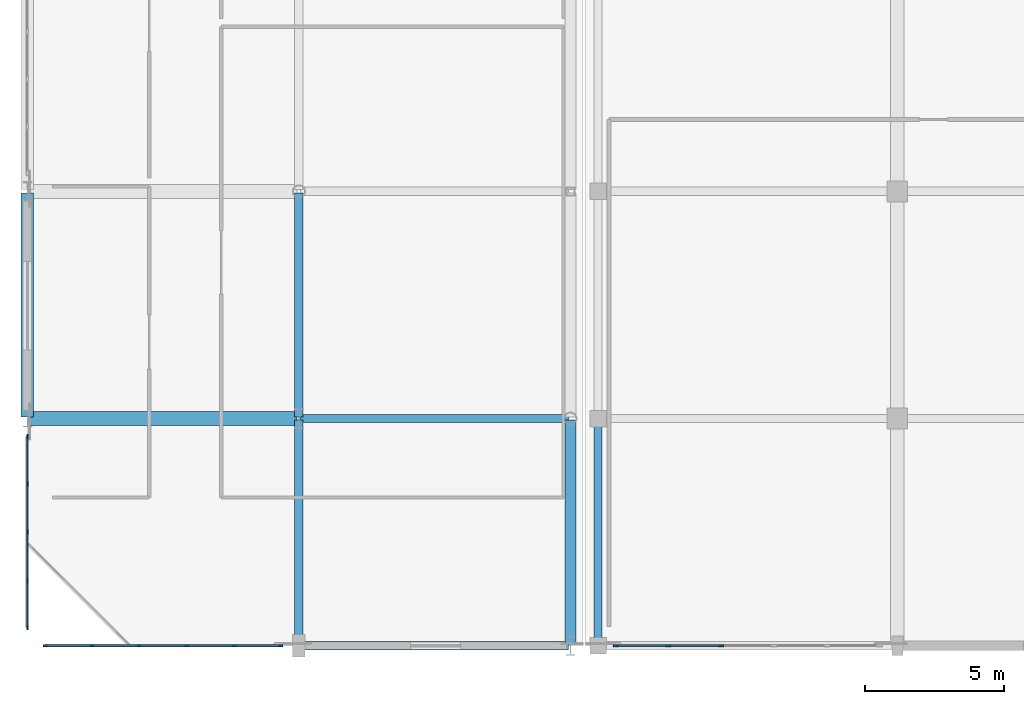
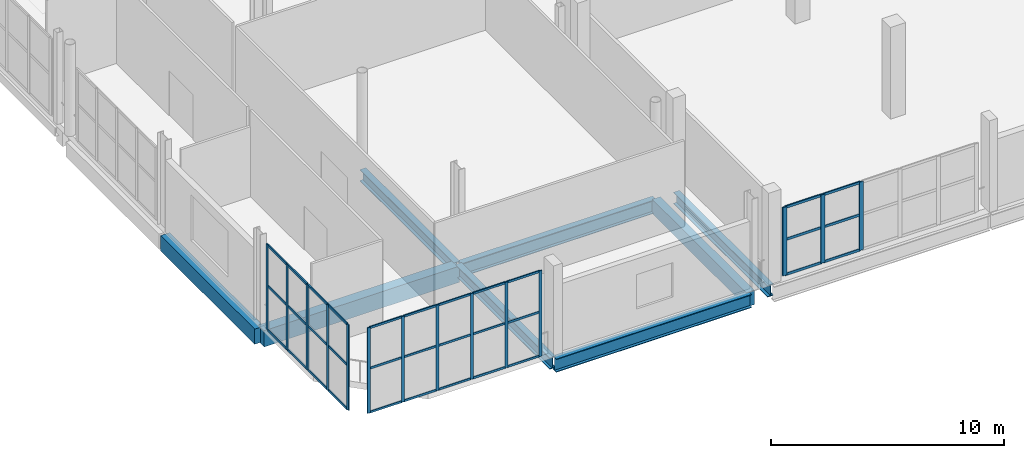
# One storey, part 12 of 129: 47 members, 8 beams, 3 elements without a shape of their own.
"""IFC4 building model written with IfcOpenShell, lengths in metres."""

import ifcopenshell
import ifcopenshell.guid

model = None  # the IFC model being written
_history = None  # IfcOwnerHistory: only IFC2X3 demands one
_inside = {}  # id of a spatial element -> (the spatial element, [elements in it])
_under = {}  # id of a project, library or spatial element -> (it, [spatial elements below it])
_declared = {}  # id of a project -> (the project, [libraries it declares])
_typed = {}  # id of a type object -> (the type object, [elements of that type])
_made_of = {}  # id of a material, layer set ... -> (it, [elements and type objects made of it])


def new_model(schema):
    """Start an empty IFC model of exactly this schema.

    Asked for "IFC4X3", IfcOpenShell would pick the latest addendum, in which some entities
    have other attributes; the version numbers below select the first issue.
    IFC2X3 requires an IfcOwnerHistory on every rooted entity: one is made here for all.
    """
    global model, _history
    if schema == "IFC4X3":
        model = ifcopenshell.file(schema_version=(4, 3, 0, 0))
    else:
        model = ifcopenshell.file(schema=schema)
    _inside.clear()
    _under.clear()
    _declared.clear()
    _typed.clear()
    _made_of.clear()
    _history = None
    if model.schema == "IFC2X3":
        org = make("IfcOrganization", Name="unknown")
        user = make(
            "IfcPersonAndOrganization",
            ThePerson=make("IfcPerson", FamilyName="unknown"),
            TheOrganization=org,
        )
        app = make(
            "IfcApplication",
            ApplicationDeveloper=org,
            Version="unknown",
            ApplicationFullName="unknown",
            ApplicationIdentifier="unknown",
        )
        _history = make(
            "IfcOwnerHistory",
            OwningUser=user,
            OwningApplication=app,
            ChangeAction="ADDED",
            CreationDate=0,
        )
    return model


def make(cls, **values):
    """One entity of the class cls with the attributes given. An attribute that is None is left unset."""
    return model.create_entity(
        cls, **{name: value for name, value in values.items() if value is not None}
    )


def rooted(cls, **values):
    """An entity with a GlobalId (a new one), such as an element, a storey or a relation."""
    return make(cls, GlobalId=ifcopenshell.guid.new(), OwnerHistory=_history, **values)


def si_unit(unit_type, name, prefix=None):
    """IfcSIUnit, for example si_unit("LENGTHUNIT", "METRE", prefix="MILLI")."""
    return make("IfcSIUnit", UnitType=unit_type, Prefix=prefix, Name=name)


def assignment(units):
    """IfcUnitAssignment: the units of a project."""
    return None if units is None else make("IfcUnitAssignment", Units=units)


def point(xyz):
    """IfcCartesianPoint."""
    return None if xyz is None else make("IfcCartesianPoint", Coordinates=xyz)


def direction(xyz):
    """IfcDirection."""
    return None if xyz is None else make("IfcDirection", DirectionRatios=xyz)


def frame(location, z_axis=None, x_axis=None):
    """IfcAxis2Placement3D, a coordinate frame: its origin and axes. An axis left out is left unset."""
    return make(
        "IfcAxis2Placement3D",
        Location=point(location),
        Axis=direction(z_axis),
        RefDirection=direction(x_axis),
    )


def frame_2d(location, x_axis=None):
    """IfcAxis2Placement2D, a coordinate frame in the plane: its origin and x axis."""
    return make(
        "IfcAxis2Placement2D", Location=point(location), RefDirection=direction(x_axis)
    )


def origin():
    """The frame at (0, 0, 0) with its axes left unset."""
    return frame((0.0, 0.0, 0.0))


def origin_2d():
    """The frame at (0, 0) in the plane with its x axis left unset."""
    return frame_2d((0.0, 0.0))


def place(relative_to, where):
    """IfcLocalPlacement: puts the frame where relative to a parent placement (None: the world)."""
    return make(
        "IfcLocalPlacement", PlacementRelTo=relative_to, RelativePlacement=where
    )


def context(
    kind, dimensions, precision=None, world=None, true_north=None, identifier=None
):
    """IfcGeometricRepresentationContext, for example the 3D "Model" context."""
    return make(
        "IfcGeometricRepresentationContext",
        ContextIdentifier=identifier,
        ContextType=kind,
        CoordinateSpaceDimension=dimensions,
        Precision=precision,
        WorldCoordinateSystem=world,
        TrueNorth=true_north,
    )


def subcontext(parent, identifier, kind, view, scale=None):
    """IfcGeometricRepresentationSubContext, for example "Body" below "Model"."""
    return make(
        "IfcGeometricRepresentationSubContext",
        ContextIdentifier=identifier,
        ContextType=kind,
        ParentContext=parent,
        TargetScale=scale,
        TargetView=view,
    )


def project(units=None, contexts=None):
    """IfcProject with its units and contexts."""
    return rooted(
        "IfcProject",
        Name="project",
        RepresentationContexts=contexts,
        UnitsInContext=assignment(units),
    )


def spatial(cls, under=None, at=None, **own):
    """A site, building, storey or space (cls), placed at a placement, below another one or the project."""
    s = rooted(cls, ObjectPlacement=at, **own)
    if under is not None:
        _under.setdefault(under.id(), (under, []))[1].append(s)
    return s


def profile(cls, at=None, kind="AREA", **sizes):
    """A parametric profile (cls). Its sizes go by their IFC names, for example OverallWidth=200.0."""
    return make(cls, ProfileType=kind, Position=at, **sizes)


def rectangle(**sizes):
    """IfcRectangleProfileDef."""
    return profile("IfcRectangleProfileDef", **sizes)


def i_section(**sizes):
    """IfcIShapeProfileDef."""
    return profile("IfcIShapeProfileDef", **sizes)


def extrude(swept, where, along, depth):
    """IfcExtrudedAreaSolid: the profile swept, set in the frame where, extruded along a direction by depth."""
    return make(
        "IfcExtrudedAreaSolid",
        SweptArea=swept,
        Position=where,
        ExtrudedDirection=direction(along),
        Depth=depth,
    )


def shape(context_of_items, identifier, shape_type, items):
    """IfcShapeRepresentation: the items that make up one representation, for example the "Body"."""
    return make(
        "IfcShapeRepresentation",
        ContextOfItems=context_of_items,
        RepresentationIdentifier=identifier,
        RepresentationType=shape_type,
        Items=items,
    )


def material(Name=None, Category=None):
    """IfcMaterial."""
    return make("IfcMaterial", Name=Name, Category=Category)


def material_profile(
    of_material, cross_section, Name=None, Category=None, Priority=None
):
    """IfcMaterialProfile: a cross section and its material."""
    return make(
        "IfcMaterialProfile",
        Name=Name,
        Material=of_material,
        Profile=cross_section,
        Priority=Priority,
        Category=Category,
    )


def profile_set(profiles, Name=None, composite=None):
    """IfcMaterialProfileSet."""
    return make(
        "IfcMaterialProfileSet",
        Name=Name,
        MaterialProfiles=profiles,
        CompositeProfile=composite,
    )


def made_of(thing, what):
    """Note that an element or type object is made of a material, layer set ...; save() writes the relation."""
    if what is not None:
        _made_of.setdefault(what.id(), (what, []))[1].append(thing)
    return thing


def type_object(cls, material=None, **own):
    """A type object (cls), such as IfcWallType, which elements share."""
    return made_of(rooted(cls, **own), material)


def element(
    cls,
    number,
    at=None,
    inside=None,
    cuts=None,
    type_object=None,
    material=None,
    context=None,
    identifier="Body",
    shape_type=None,
    held_by="IfcProductDefinitionShape",
    body=None,
    shapes=None,
    **own,
):
    """One element of the class cls, such as IfcWall. Its Tag is "e" and its number.

    at: its placement. inside: the storey or other place that contains it. cuts: it is an
    opening in that element (IfcRelVoidsElement). A single representation is given by context,
    identifier, shape_type and body (its items); several are given by shapes. held_by: the class
    of the entity that holds the representations. save() writes the other relations.
    """
    e = rooted(cls, Tag="e%d" % number, ObjectPlacement=at, **own)
    if body is not None:
        shapes = [shape(context, identifier, shape_type, body)]
    if shapes is not None:
        e.Representation = make(held_by, Representations=shapes)
    if inside is not None:
        _inside.setdefault(inside.id(), (inside, []))[1].append(e)
    if cuts is not None:
        rooted(
            "IfcRelVoidsElement", RelatingBuildingElement=cuts, RelatedOpeningElement=e
        )
    if type_object is not None:
        _typed.setdefault(type_object.id(), (type_object, []))[1].append(e)
    return made_of(e, material)


def aggregate(whole, parts):
    """IfcRelAggregates: a whole, such as a stair, and the parts it consists of."""
    return rooted("IfcRelAggregates", RelatingObject=whole, RelatedObjects=parts)


def save(model, path):
    """Write the relations noted so far, then the file.

    IfcRelAggregates (storeys below a building ...), IfcRelContainedInSpatialStructure (elements
    in a storey), IfcRelDefinesByType, IfcRelAssociatesMaterial and IfcRelDeclares: one each for
    every whole, place, type object, material and project.
    """
    for whole, parts in _under.values():
        aggregate(whole, parts)
    for where, things in _inside.values():
        rooted(
            "IfcRelContainedInSpatialStructure",
            RelatedElements=things,
            RelatingStructure=where,
        )
    for kind, things in _typed.values():
        rooted("IfcRelDefinesByType", RelatedObjects=things, RelatingType=kind)
    for what, things in _made_of.values():
        rooted("IfcRelAssociatesMaterial", RelatedObjects=things, RelatingMaterial=what)
    for by, libraries in _declared.values():
        rooted("IfcRelDeclares", RelatingContext=by, RelatedDefinitions=libraries)
    model.write(path)


model = new_model("IFC4")

# Units and contexts
model_context = context("Model", 3, precision=1e-05, world=origin(), true_north=direction((0.0, 1.0)))
body_context = subcontext(model_context, "Body", "Model", "MODEL_VIEW")
ifc_project = project(units=[si_unit("LENGTHUNIT", "METRE"), si_unit("AREAUNIT", "SQUARE_METRE"), si_unit("VOLUMEUNIT", "CUBIC_METRE"), si_unit("PLANEANGLEUNIT", "RADIAN"), si_unit("MASSUNIT", "GRAM", prefix="KILO")], contexts=[model_context])

# Site, building, storey
site_placement = place(None, origin())
site = spatial("IfcSite", under=ifc_project, at=site_placement, CompositionType="ELEMENT")
building_placement = place(site_placement, origin())
building = spatial("IfcBuilding", under=site, at=building_placement, Name="Koshinbarg Plaza Stadium", CompositionType="ELEMENT")
storey_placement = place(building_placement, frame((0.0, 0.0, 5.39990234375)))
storey = spatial("IfcBuildingStorey", under=building, at=storey_placement, Name="L01", CompositionType="ELEMENT", Elevation=5.39990234375)

# Beams
ifc_material_1 = material(Name="Concrete C40/50", Category="concrete")
ifc_material_profile_1 = material_profile(ifc_material_1, rectangle(XDim=0.39990234375, YDim=0.75, at=origin_2d()), Name="RC 400x750")
ifc_profile_set_1 = profile_set([ifc_material_profile_1], Name="Concrete C40/50")
beam_type_1 = type_object("IfcBeamType", Name="BM-RCG-03", PredefinedType="USERDEFINED", material=ifc_profile_set_1)
beam_1_placement = place(storey_placement, frame((23.60009765625, 0.06005859375, -0.69482421875), z_axis=(0.0, 1.0, 0.0), x_axis=(-1.0, 0.0, 0.0)))
element("IfcBeam", 1, at=beam_1_placement, inside=storey, type_object=beam_type_1, Name="L01 Y girder 4/A-B", ObjectType="GIRDER", PredefinedType="USERDEFINED", context=body_context, shape_type="SweptSolid", body=[
    extrude(rectangle(XDim=0.39990234375, YDim=0.75, at=origin_2d()), origin(), (0.0, 0.0, 1.0), 8.079833984375),
])
ifc_material_profile_2 = material_profile(ifc_material_1, rectangle(XDim=0.449951171875, YDim=0.800048828125, at=origin_2d()), Name="RC 450x800")
ifc_profile_set_2 = profile_set([ifc_material_profile_2], Name="Concrete C40/50")
beam_type_2 = type_object("IfcBeamType", Name="BM-RCG-04", PredefinedType="USERDEFINED", material=ifc_profile_set_2)
beam_2_placement = place(storey_placement, frame((4.0, 8.260009765625, -0.719970703125), z_axis=(0.0, 1.0, 0.0), x_axis=(-1.0, 0.0, 0.0)))
element("IfcBeam", 2, at=beam_2_placement, inside=storey, type_object=beam_type_2, Name="L01 Y girder 2/B-C", ObjectType="GIRDER", PredefinedType="USERDEFINED", context=body_context, shape_type="SweptSolid", body=[
    extrude(rectangle(XDim=0.449951171875, YDim=0.800048828125, at=origin_2d()), origin(), (0.0, 0.0, 1.0), 8.080078125),
])
ifc_material_profile_3 = material_profile(ifc_material_1, rectangle(XDim=0.5, YDim=0.85009765625, at=origin_2d()), Name="RC 500x850")
ifc_profile_set_3 = profile_set([ifc_material_profile_3], Name="Concrete C40/50")
beam_type_3 = type_object("IfcBeamType", Name="BM-RCG-05", PredefinedType="USERDEFINED", material=ifc_profile_set_3)
beam_3_placement = place(storey_placement, frame((4.06005859375, 8.199951171875, -0.744873046875), z_axis=(1.0, 0.0, 0.0), x_axis=(0.0, 1.0, 0.0)))
element("IfcBeam", 3, at=beam_3_placement, inside=storey, type_object=beam_type_3, Name="L01 X girder B/2-3", ObjectType="GIRDER", PredefinedType="USERDEFINED", context=body_context, shape_type="SweptSolid", body=[
    extrude(rectangle(XDim=0.5, YDim=0.85009765625, at=origin_2d()), origin(), (0.0, 0.0, 1.0), 9.679931640625),
])
ifc_material_2 = material(Name="Steel S355", Category="steel")
ifc_material_profile_4 = material_profile(ifc_material_2, i_section(OverallWidth=0.300048828125, OverallDepth=0.60009765625, WebThickness=0.015380859375, FlangeThickness=0.030029296875, at=origin_2d()), Name="HEB 600")
ifc_profile_set_4 = profile_set([ifc_material_profile_4], Name="Steel S355")
beam_type_4 = type_object("IfcBeamType", Name="BM-SGIR-02", PredefinedType="USERDEFINED", material=ifc_profile_set_4)
beam_4_placement = place(storey_placement, frame((13.800048828125, 0.06005859375, -0.619873046875), z_axis=(0.0, 1.0, 0.0), x_axis=(-1.0, 0.0, 0.0)))
element("IfcBeam", 4, at=beam_4_placement, inside=storey, type_object=beam_type_4, Name="L01 Y girder 3/A-B", ObjectType="GIRDER", PredefinedType="USERDEFINED", context=body_context, shape_type="SweptSolid", body=[
    extrude(i_section(OverallWidth=0.300048828125, OverallDepth=0.60009765625, WebThickness=0.015380859375, FlangeThickness=0.030029296875, at=origin_2d()), origin(), (0.0, 0.0, 1.0), 8.079833984375),
])
beam_5_placement = place(storey_placement, frame((13.800048828125, 8.260009765625, -0.619873046875), z_axis=(0.0, 1.0, 0.0), x_axis=(-1.0, 0.0, 0.0)))
element("IfcBeam", 5, at=beam_5_placement, inside=storey, type_object=beam_type_4, Name="L01 Y girder 3/B-C", ObjectType="GIRDER", PredefinedType="USERDEFINED", context=body_context, shape_type="SweptSolid", body=[
    extrude(i_section(OverallWidth=0.300048828125, OverallDepth=0.60009765625, WebThickness=0.015380859375, FlangeThickness=0.030029296875, at=origin_2d()), origin(), (0.0, 0.0, 1.0), 8.080078125),
])
beam_6_placement = place(storey_placement, frame((24.60009765625, 0.06005859375, -0.619873046875), z_axis=(0.0, 1.0, 0.0), x_axis=(-1.0, 0.0, 0.0)))
element("IfcBeam", 6, at=beam_6_placement, inside=storey, type_object=beam_type_4, Name="L01 Y girder 5/A-B", ObjectType="GIRDER", PredefinedType="USERDEFINED", context=body_context, shape_type="SweptSolid", body=[
    extrude(i_section(OverallWidth=0.300048828125, OverallDepth=0.60009765625, WebThickness=0.015380859375, FlangeThickness=0.030029296875, at=origin_2d()), origin(), (0.0, 0.0, 1.0), 8.079833984375),
])
ifc_material_profile_5 = material_profile(ifc_material_2, i_section(OverallWidth=0.300048828125, OverallDepth=0.699951171875, WebThickness=0.01708984375, FlangeThickness=0.031982421875, at=origin_2d()), Name="HEB 700")
ifc_profile_set_5 = profile_set([ifc_material_profile_5], Name="Steel S355")
beam_type_5 = type_object("IfcBeamType", Name="BM-SGIR-03", PredefinedType="USERDEFINED", material=ifc_profile_set_5)
for number, where, z_axis, x_axis, name in (
    (7, (13.860107421875, 0.0, -0.669921875), (1.0, 0.0, 0.0), (0.0, 1.0, 0.0), "L01 X girder A/3-4"),
    (8, (13.860107421875, 8.199951171875, -0.669921875), (1.0, 0.0, 0.0), (0.0, 1.0, 0.0), "L01 X girder B/3-4"),
):
    element("IfcBeam", number, at=place(storey_placement, frame(where, z_axis=z_axis, x_axis=x_axis)), inside=storey, type_object=beam_type_5, Name=name, ObjectType="GIRDER", PredefinedType="USERDEFINED", context=body_context, shape_type="SweptSolid", body=[
        extrude(i_section(OverallWidth=0.300048828125, OverallDepth=0.699951171875, WebThickness=0.01708984375, FlangeThickness=0.031982421875, at=origin_2d()), origin(), (0.0, 0.0, 1.0), 9.679931640625),
    ])

# Curtain wall, members
ifc_material_3 = material(Name="Thermally broken anodised aluminium and low-E double glazing", Category="aluminium")
curtain_wall_type_1 = type_object("IfcCurtainWallType", Name="CW-SYS-05", PredefinedType="NOTDEFINED", material=ifc_material_3)
curtain_wall_1_placement = place(storey_placement, origin())
curtain_wall_1 = element("IfcCurtainWall", 9, at=curtain_wall_1_placement, inside=storey, type_object=curtain_wall_type_1, Name="L01 unitised curtain wall CW-L01-036", PredefinedType="NOTDEFINED")
ifc_material_4 = material(Name="Anodised aluminium mullion", Category="aluminium")
ifc_material_profile_6 = material_profile(ifc_material_4, rectangle(XDim=0.06005859375, YDim=0.139892578125, at=origin_2d()), Name="ALU 60x140")
ifc_profile_set_6 = profile_set([ifc_material_profile_6], Name="Anodised aluminium mullion")
member_type_1 = type_object("IfcMemberType", Name="CW-MUL-01", PredefinedType="MULLION", material=ifc_profile_set_6)
member_1_placement = place(storey_placement, frame((13.14990234375, 0.0, 0.0), z_axis=(0.0, 0.0, 1.0), x_axis=(0.0, -1.0, 0.0)))
member_1 = element("IfcMember", 10, at=member_1_placement, type_object=member_type_1, Name="CW05 mullion 1", PredefinedType="MULLION", context=body_context, shape_type="SweptSolid", body=[
    extrude(rectangle(XDim=0.06005859375, YDim=0.139892578125, at=origin_2d()), origin(), (0.0, 0.0, 1.0), 4.47998046875),
])
member_2_placement = place(storey_placement, frame((11.468017578125, 0.0, 0.0), z_axis=(0.0, 0.0, 1.0), x_axis=(0.0, -1.0, 0.0)))
member_2 = element("IfcMember", 11, at=member_2_placement, type_object=member_type_1, Name="CW05 mullion 2", PredefinedType="MULLION", context=body_context, shape_type="SweptSolid", body=[
    extrude(rectangle(XDim=0.06005859375, YDim=0.139892578125, at=origin_2d()), origin(), (0.0, 0.0, 1.0), 4.47998046875),
])
member_3_placement = place(storey_placement, frame((9.756103515625, 0.0, 0.0), z_axis=(0.0, 0.0, 1.0), x_axis=(0.0, -1.0, 0.0)))
member_3 = element("IfcMember", 12, at=member_3_placement, type_object=member_type_1, Name="CW05 mullion 3", PredefinedType="MULLION", context=body_context, shape_type="SweptSolid", body=[
    extrude(rectangle(XDim=0.06005859375, YDim=0.139892578125, at=origin_2d()), origin(), (0.0, 0.0, 1.0), 4.47998046875),
])
member_4_placement = place(storey_placement, frame((8.0439453125, 0.0, 0.0), z_axis=(0.0, 0.0, 1.0), x_axis=(0.0, -1.0, 0.0)))
member_4 = element("IfcMember", 13, at=member_4_placement, type_object=member_type_1, Name="CW05 mullion 4", PredefinedType="MULLION", context=body_context, shape_type="SweptSolid", body=[
    extrude(rectangle(XDim=0.06005859375, YDim=0.139892578125, at=origin_2d()), origin(), (0.0, 0.0, 1.0), 4.47998046875),
])
member_5_placement = place(storey_placement, frame((6.33203125, 0.0, 0.0), z_axis=(0.0, 0.0, 1.0), x_axis=(0.0, -1.0, 0.0)))
member_5 = element("IfcMember", 14, at=member_5_placement, type_object=member_type_1, Name="CW05 mullion 5", PredefinedType="MULLION", context=body_context, shape_type="SweptSolid", body=[
    extrude(rectangle(XDim=0.06005859375, YDim=0.139892578125, at=origin_2d()), origin(), (0.0, 0.0, 1.0), 4.47998046875),
])
member_6_placement = place(storey_placement, frame((4.64990234375, 0.0, 0.0), z_axis=(0.0, 0.0, 1.0), x_axis=(0.0, -1.0, 0.0)))
member_6 = element("IfcMember", 15, at=member_6_placement, type_object=member_type_1, Name="CW05 mullion 6", PredefinedType="MULLION", context=body_context, shape_type="SweptSolid", body=[
    extrude(rectangle(XDim=0.06005859375, YDim=0.139892578125, at=origin_2d()), origin(), (0.0, 0.0, 1.0), 4.47998046875),
])

curtain_wall_type_2 = type_object("IfcCurtainWallType", Name="CW-SYS-02", PredefinedType="NOTDEFINED", material=ifc_material_3)
curtain_wall_2_placement = place(storey_placement, origin())
curtain_wall_2 = element("IfcCurtainWall", 16, at=curtain_wall_2_placement, inside=storey, type_object=curtain_wall_type_2, Name="L01 unitised curtain wall CW-L01-001", PredefinedType="NOTDEFINED")
ifc_material_profile_7 = material_profile(ifc_material_4, rectangle(XDim=0.06005859375, YDim=0.159912109375, at=origin_2d()), Name="ALU 60x160")
ifc_profile_set_7 = profile_set([ifc_material_profile_7], Name="Anodised aluminium mullion")
member_type_2 = type_object("IfcMemberType", Name="CW-MUL-02", PredefinedType="MULLION", material=ifc_profile_set_7)
member_7_placement = place(storey_placement, frame((4.0, 0.64990234375, 0.0), z_axis=(0.0, 0.0, 1.0), x_axis=(-1.0, 0.0, 0.0)))
member_7 = element("IfcMember", 17, at=member_7_placement, type_object=member_type_2, Name="CW02 mullion 1", PredefinedType="MULLION", context=body_context, shape_type="SweptSolid", body=[
    extrude(rectangle(XDim=0.06005859375, YDim=0.159912109375, at=origin_2d()), origin(), (0.0, 0.0, 1.0), 4.47998046875),
])
member_8_placement = place(storey_placement, frame((4.0, 2.360107421875, 0.0), z_axis=(0.0, 0.0, 1.0), x_axis=(-1.0, 0.0, 0.0)))
member_8 = element("IfcMember", 18, at=member_8_placement, type_object=member_type_2, Name="CW02 mullion 2", PredefinedType="MULLION", context=body_context, shape_type="SweptSolid", body=[
    extrude(rectangle(XDim=0.06005859375, YDim=0.159912109375, at=origin_2d()), origin(), (0.0, 0.0, 1.0), 4.47998046875),
])
member_9_placement = place(storey_placement, frame((4.0, 4.10009765625, 0.0), z_axis=(0.0, 0.0, 1.0), x_axis=(-1.0, 0.0, 0.0)))
member_9 = element("IfcMember", 19, at=member_9_placement, type_object=member_type_2, Name="CW02 mullion 3", PredefinedType="MULLION", context=body_context, shape_type="SweptSolid", body=[
    extrude(rectangle(XDim=0.06005859375, YDim=0.159912109375, at=origin_2d()), origin(), (0.0, 0.0, 1.0), 4.47998046875),
])
member_10_placement = place(storey_placement, frame((4.0, 5.840087890625, 0.0), z_axis=(0.0, 0.0, 1.0), x_axis=(-1.0, 0.0, 0.0)))
member_10 = element("IfcMember", 20, at=member_10_placement, type_object=member_type_2, Name="CW02 mullion 4", PredefinedType="MULLION", context=body_context, shape_type="SweptSolid", body=[
    extrude(rectangle(XDim=0.06005859375, YDim=0.159912109375, at=origin_2d()), origin(), (0.0, 0.0, 1.0), 4.47998046875),
])
member_11_placement = place(storey_placement, frame((4.0, 7.550048828125, 0.0), z_axis=(0.0, 0.0, 1.0), x_axis=(-1.0, 0.0, 0.0)))
member_11 = element("IfcMember", 21, at=member_11_placement, type_object=member_type_2, Name="CW02 mullion 5", PredefinedType="MULLION", context=body_context, shape_type="SweptSolid", body=[
    extrude(rectangle(XDim=0.06005859375, YDim=0.159912109375, at=origin_2d()), origin(), (0.0, 0.0, 1.0), 4.47998046875),
])

curtain_wall_type_3 = type_object("IfcCurtainWallType", Name="CW-SYS-04", PredefinedType="NOTDEFINED", material=ifc_material_3)
curtain_wall_3_placement = place(storey_placement, origin())
curtain_wall_3 = element("IfcCurtainWall", 22, at=curtain_wall_3_placement, inside=storey, type_object=curtain_wall_type_3, Name="L01 unitised curtain wall CW-L01-035", PredefinedType="NOTDEFINED")
ifc_material_profile_8 = material_profile(ifc_material_4, rectangle(XDim=0.070068359375, YDim=0.199951171875, at=origin_2d()), Name="ALU 70x200")
ifc_profile_set_8 = profile_set([ifc_material_profile_8], Name="Anodised aluminium mullion")
member_type_3 = type_object("IfcMemberType", Name="CW-MUL-04", PredefinedType="MULLION", material=ifc_profile_set_8)
member_12_placement = place(storey_placement, frame((29.0439453125, 0.0, 0.0), z_axis=(0.0, 0.0, 1.0), x_axis=(0.0, -1.0, 0.0)))
member_12 = element("IfcMember", 23, at=member_12_placement, type_object=member_type_3, Name="CW04 mullion 4", PredefinedType="MULLION", context=body_context, shape_type="SweptSolid", body=[
    extrude(rectangle(XDim=0.070068359375, YDim=0.199951171875, at=origin_2d()), origin(), (0.0, 0.0, 1.0), 3.580078125),
])
member_13_placement = place(storey_placement, frame((27.132080078125, 0.0, 0.0), z_axis=(0.0, 0.0, 1.0), x_axis=(0.0, -1.0, 0.0)))
member_13 = element("IfcMember", 24, at=member_13_placement, type_object=member_type_3, Name="CW04 mullion 5", PredefinedType="MULLION", context=body_context, shape_type="SweptSolid", body=[
    extrude(rectangle(XDim=0.070068359375, YDim=0.199951171875, at=origin_2d()), origin(), (0.0, 0.0, 1.0), 3.580078125),
])
member_14_placement = place(storey_placement, frame((25.25, 0.0, 0.0), z_axis=(0.0, 0.0, 1.0), x_axis=(0.0, -1.0, 0.0)))
member_14 = element("IfcMember", 25, at=member_14_placement, type_object=member_type_3, Name="CW04 mullion 6", PredefinedType="MULLION", context=body_context, shape_type="SweptSolid", body=[
    extrude(rectangle(XDim=0.070068359375, YDim=0.199951171875, at=origin_2d()), origin(), (0.0, 0.0, 1.0), 3.580078125),
])

# Member
ifc_material_5 = material(Name="Anodised aluminium transom", Category="aluminium")
ifc_material_profile_9 = material_profile(ifc_material_5, rectangle(XDim=0.06005859375, YDim=0.110107421875, at=origin_2d()), Name="ALU 60x110")
ifc_profile_set_9 = profile_set([ifc_material_profile_9], Name="Anodised aluminium transom")
member_type_4 = type_object("IfcMemberType", Name="CW-TRN-01", PredefinedType="USERDEFINED", material=ifc_profile_set_9)
member_15_placement = place(storey_placement, frame((13.1201171875, 0.0, 0.030029296875), z_axis=(-1.0, 0.0, 0.0), x_axis=(0.0, -1.0, 0.0)))
member_15 = element("IfcMember", 26, at=member_15_placement, type_object=member_type_4, Name="CW05 transom 1.1", ObjectType="TRANSOM", PredefinedType="USERDEFINED", context=body_context, shape_type="SweptSolid", body=[
    extrude(rectangle(XDim=0.06005859375, YDim=0.110107421875, at=origin_2d()), origin(), (0.0, 0.0, 1.0), 1.6220703125),
])

member_16_placement = place(storey_placement, frame((13.1201171875, 0.0, 2.32958984375), z_axis=(-1.0, 0.0, 0.0), x_axis=(0.0, -1.0, 0.0)))
member_16 = element("IfcMember", 27, at=member_16_placement, type_object=member_type_4, Name="CW05 transom 1.2", ObjectType="TRANSOM", PredefinedType="USERDEFINED", context=body_context, shape_type="SweptSolid", body=[
    extrude(rectangle(XDim=0.06005859375, YDim=0.110107421875, at=origin_2d()), origin(), (0.0, 0.0, 1.0), 1.6220703125),
])

member_17_placement = place(storey_placement, frame((13.1201171875, 0.0, 4.4501953125), z_axis=(-1.0, 0.0, 0.0), x_axis=(0.0, -1.0, 0.0)))
member_17 = element("IfcMember", 28, at=member_17_placement, type_object=member_type_4, Name="CW05 transom 1.3", ObjectType="TRANSOM", PredefinedType="USERDEFINED", context=body_context, shape_type="SweptSolid", body=[
    extrude(rectangle(XDim=0.06005859375, YDim=0.110107421875, at=origin_2d()), origin(), (0.0, 0.0, 1.0), 1.6220703125),
])

member_18_placement = place(storey_placement, frame((11.43798828125, 0.0, 0.030029296875), z_axis=(-1.0, 0.0, 0.0), x_axis=(0.0, -1.0, 0.0)))
member_18 = element("IfcMember", 29, at=member_18_placement, type_object=member_type_4, Name="CW05 transom 2.1", ObjectType="TRANSOM", PredefinedType="USERDEFINED", context=body_context, shape_type="SweptSolid", body=[
    extrude(rectangle(XDim=0.06005859375, YDim=0.110107421875, at=origin_2d()), origin(), (0.0, 0.0, 1.0), 1.652099609375),
])

member_19_placement = place(storey_placement, frame((11.43798828125, 0.0, 2.32958984375), z_axis=(-1.0, 0.0, 0.0), x_axis=(0.0, -1.0, 0.0)))
member_19 = element("IfcMember", 30, at=member_19_placement, type_object=member_type_4, Name="CW05 transom 2.2", ObjectType="TRANSOM", PredefinedType="USERDEFINED", context=body_context, shape_type="SweptSolid", body=[
    extrude(rectangle(XDim=0.06005859375, YDim=0.110107421875, at=origin_2d()), origin(), (0.0, 0.0, 1.0), 1.652099609375),
])

member_20_placement = place(storey_placement, frame((11.43798828125, 0.0, 4.4501953125), z_axis=(-1.0, 0.0, 0.0), x_axis=(0.0, -1.0, 0.0)))
member_20 = element("IfcMember", 31, at=member_20_placement, type_object=member_type_4, Name="CW05 transom 2.3", ObjectType="TRANSOM", PredefinedType="USERDEFINED", context=body_context, shape_type="SweptSolid", body=[
    extrude(rectangle(XDim=0.06005859375, YDim=0.110107421875, at=origin_2d()), origin(), (0.0, 0.0, 1.0), 1.652099609375),
])

member_21_placement = place(storey_placement, frame((9.72607421875, 0.0, 0.030029296875), z_axis=(-1.0, 0.0, 0.0), x_axis=(0.0, -1.0, 0.0)))
member_21 = element("IfcMember", 32, at=member_21_placement, type_object=member_type_4, Name="CW05 transom 3.1", ObjectType="TRANSOM", PredefinedType="USERDEFINED", context=body_context, shape_type="SweptSolid", body=[
    extrude(rectangle(XDim=0.06005859375, YDim=0.110107421875, at=origin_2d()), origin(), (0.0, 0.0, 1.0), 1.652099609375),
])

member_22_placement = place(storey_placement, frame((9.72607421875, 0.0, 2.32958984375), z_axis=(-1.0, 0.0, 0.0), x_axis=(0.0, -1.0, 0.0)))
member_22 = element("IfcMember", 33, at=member_22_placement, type_object=member_type_4, Name="CW05 transom 3.2", ObjectType="TRANSOM", PredefinedType="USERDEFINED", context=body_context, shape_type="SweptSolid", body=[
    extrude(rectangle(XDim=0.06005859375, YDim=0.110107421875, at=origin_2d()), origin(), (0.0, 0.0, 1.0), 1.652099609375),
])

member_23_placement = place(storey_placement, frame((9.72607421875, 0.0, 4.4501953125), z_axis=(-1.0, 0.0, 0.0), x_axis=(0.0, -1.0, 0.0)))
member_23 = element("IfcMember", 34, at=member_23_placement, type_object=member_type_4, Name="CW05 transom 3.3", ObjectType="TRANSOM", PredefinedType="USERDEFINED", context=body_context, shape_type="SweptSolid", body=[
    extrude(rectangle(XDim=0.06005859375, YDim=0.110107421875, at=origin_2d()), origin(), (0.0, 0.0, 1.0), 1.652099609375),
])

member_24_placement = place(storey_placement, frame((8.013916015625, 0.0, 0.030029296875), z_axis=(-1.0, 0.0, 0.0), x_axis=(0.0, -1.0, 0.0)))
member_24 = element("IfcMember", 35, at=member_24_placement, type_object=member_type_4, Name="CW05 transom 4.1", ObjectType="TRANSOM", PredefinedType="USERDEFINED", context=body_context, shape_type="SweptSolid", body=[
    extrude(rectangle(XDim=0.06005859375, YDim=0.110107421875, at=origin_2d()), origin(), (0.0, 0.0, 1.0), 1.65185546875),
])

member_25_placement = place(storey_placement, frame((8.013916015625, 0.0, 2.32958984375), z_axis=(-1.0, 0.0, 0.0), x_axis=(0.0, -1.0, 0.0)))
member_25 = element("IfcMember", 36, at=member_25_placement, type_object=member_type_4, Name="CW05 transom 4.2", ObjectType="TRANSOM", PredefinedType="USERDEFINED", context=body_context, shape_type="SweptSolid", body=[
    extrude(rectangle(XDim=0.06005859375, YDim=0.110107421875, at=origin_2d()), origin(), (0.0, 0.0, 1.0), 1.65185546875),
])

member_26_placement = place(storey_placement, frame((8.013916015625, 0.0, 4.4501953125), z_axis=(-1.0, 0.0, 0.0), x_axis=(0.0, -1.0, 0.0)))
member_26 = element("IfcMember", 37, at=member_26_placement, type_object=member_type_4, Name="CW05 transom 4.3", ObjectType="TRANSOM", PredefinedType="USERDEFINED", context=body_context, shape_type="SweptSolid", body=[
    extrude(rectangle(XDim=0.06005859375, YDim=0.110107421875, at=origin_2d()), origin(), (0.0, 0.0, 1.0), 1.65185546875),
])

member_27_placement = place(storey_placement, frame((6.302001953125, 0.0, 0.030029296875), z_axis=(-1.0, 0.0, 0.0), x_axis=(0.0, -1.0, 0.0)))
member_27 = element("IfcMember", 38, at=member_27_placement, type_object=member_type_4, Name="CW05 transom 5.1", ObjectType="TRANSOM", PredefinedType="USERDEFINED", context=body_context, shape_type="SweptSolid", body=[
    extrude(rectangle(XDim=0.06005859375, YDim=0.110107421875, at=origin_2d()), origin(), (0.0, 0.0, 1.0), 1.6220703125),
])

member_28_placement = place(storey_placement, frame((6.302001953125, 0.0, 2.32958984375), z_axis=(-1.0, 0.0, 0.0), x_axis=(0.0, -1.0, 0.0)))
member_28 = element("IfcMember", 39, at=member_28_placement, type_object=member_type_4, Name="CW05 transom 5.2", ObjectType="TRANSOM", PredefinedType="USERDEFINED", context=body_context, shape_type="SweptSolid", body=[
    extrude(rectangle(XDim=0.06005859375, YDim=0.110107421875, at=origin_2d()), origin(), (0.0, 0.0, 1.0), 1.6220703125),
])

member_29_placement = place(storey_placement, frame((6.302001953125, 0.0, 4.4501953125), z_axis=(-1.0, 0.0, 0.0), x_axis=(0.0, -1.0, 0.0)))
member_29 = element("IfcMember", 40, at=member_29_placement, type_object=member_type_4, Name="CW05 transom 5.3", ObjectType="TRANSOM", PredefinedType="USERDEFINED", context=body_context, shape_type="SweptSolid", body=[
    extrude(rectangle(XDim=0.06005859375, YDim=0.110107421875, at=origin_2d()), origin(), (0.0, 0.0, 1.0), 1.6220703125),
])

aggregate(curtain_wall_1, [member_1, member_2, member_3, member_4, member_5, member_6, member_15, member_16, member_17, member_18, member_19, member_20, member_21, member_22, member_23, member_24, member_25, member_26, member_27, member_28, member_29])

ifc_material_profile_10 = material_profile(ifc_material_5, rectangle(XDim=0.06005859375, YDim=0.1298828125, at=origin_2d()), Name="ALU 60x130")
ifc_profile_set_10 = profile_set([ifc_material_profile_10], Name="Anodised aluminium transom")
member_type_5 = type_object("IfcMemberType", Name="CW-TRN-02", PredefinedType="USERDEFINED", material=ifc_profile_set_10)
member_30_placement = place(storey_placement, frame((4.0, 0.679931640625, 0.030029296875), z_axis=(0.0, 1.0, 0.0), x_axis=(-1.0, 0.0, 0.0)))
member_30 = element("IfcMember", 41, at=member_30_placement, type_object=member_type_5, Name="CW02 transom 1.1", ObjectType="TRANSOM", PredefinedType="USERDEFINED", context=body_context, shape_type="SweptSolid", body=[
    extrude(rectangle(XDim=0.06005859375, YDim=0.1298828125, at=origin_2d()), origin(), (0.0, 0.0, 1.0), 1.650146484375),
])

member_31_placement = place(storey_placement, frame((4.0, 0.679931640625, 2.32958984375), z_axis=(0.0, 1.0, 0.0), x_axis=(-1.0, 0.0, 0.0)))
member_31 = element("IfcMember", 42, at=member_31_placement, type_object=member_type_5, Name="CW02 transom 1.2", ObjectType="TRANSOM", PredefinedType="USERDEFINED", context=body_context, shape_type="SweptSolid", body=[
    extrude(rectangle(XDim=0.06005859375, YDim=0.1298828125, at=origin_2d()), origin(), (0.0, 0.0, 1.0), 1.650146484375),
])

member_32_placement = place(storey_placement, frame((4.0, 0.679931640625, 4.4501953125), z_axis=(0.0, 1.0, 0.0), x_axis=(-1.0, 0.0, 0.0)))
member_32 = element("IfcMember", 43, at=member_32_placement, type_object=member_type_5, Name="CW02 transom 1.3", ObjectType="TRANSOM", PredefinedType="USERDEFINED", context=body_context, shape_type="SweptSolid", body=[
    extrude(rectangle(XDim=0.06005859375, YDim=0.1298828125, at=origin_2d()), origin(), (0.0, 0.0, 1.0), 1.650146484375),
])

member_33_placement = place(storey_placement, frame((4.0, 2.389892578125, 0.030029296875), z_axis=(0.0, 1.0, 0.0), x_axis=(-1.0, 0.0, 0.0)))
member_33 = element("IfcMember", 44, at=member_33_placement, type_object=member_type_5, Name="CW02 transom 2.1", ObjectType="TRANSOM", PredefinedType="USERDEFINED", context=body_context, shape_type="SweptSolid", body=[
    extrude(rectangle(XDim=0.06005859375, YDim=0.1298828125, at=origin_2d()), origin(), (0.0, 0.0, 1.0), 1.68017578125),
])

member_34_placement = place(storey_placement, frame((4.0, 2.389892578125, 2.32958984375), z_axis=(0.0, 1.0, 0.0), x_axis=(-1.0, 0.0, 0.0)))
member_34 = element("IfcMember", 45, at=member_34_placement, type_object=member_type_5, Name="CW02 transom 2.2", ObjectType="TRANSOM", PredefinedType="USERDEFINED", context=body_context, shape_type="SweptSolid", body=[
    extrude(rectangle(XDim=0.06005859375, YDim=0.1298828125, at=origin_2d()), origin(), (0.0, 0.0, 1.0), 1.68017578125),
])

member_35_placement = place(storey_placement, frame((4.0, 2.389892578125, 4.4501953125), z_axis=(0.0, 1.0, 0.0), x_axis=(-1.0, 0.0, 0.0)))
member_35 = element("IfcMember", 46, at=member_35_placement, type_object=member_type_5, Name="CW02 transom 2.3", ObjectType="TRANSOM", PredefinedType="USERDEFINED", context=body_context, shape_type="SweptSolid", body=[
    extrude(rectangle(XDim=0.06005859375, YDim=0.1298828125, at=origin_2d()), origin(), (0.0, 0.0, 1.0), 1.68017578125),
])

member_36_placement = place(storey_placement, frame((4.0, 4.1298828125, 0.030029296875), z_axis=(0.0, 1.0, 0.0), x_axis=(-1.0, 0.0, 0.0)))
member_36 = element("IfcMember", 47, at=member_36_placement, type_object=member_type_5, Name="CW02 transom 3.1", ObjectType="TRANSOM", PredefinedType="USERDEFINED", context=body_context, shape_type="SweptSolid", body=[
    extrude(rectangle(XDim=0.06005859375, YDim=0.1298828125, at=origin_2d()), origin(), (0.0, 0.0, 1.0), 1.68017578125),
])

member_37_placement = place(storey_placement, frame((4.0, 4.1298828125, 2.32958984375), z_axis=(0.0, 1.0, 0.0), x_axis=(-1.0, 0.0, 0.0)))
member_37 = element("IfcMember", 48, at=member_37_placement, type_object=member_type_5, Name="CW02 transom 3.2", ObjectType="TRANSOM", PredefinedType="USERDEFINED", context=body_context, shape_type="SweptSolid", body=[
    extrude(rectangle(XDim=0.06005859375, YDim=0.1298828125, at=origin_2d()), origin(), (0.0, 0.0, 1.0), 1.68017578125),
])

member_38_placement = place(storey_placement, frame((4.0, 4.1298828125, 4.4501953125), z_axis=(0.0, 1.0, 0.0), x_axis=(-1.0, 0.0, 0.0)))
member_38 = element("IfcMember", 49, at=member_38_placement, type_object=member_type_5, Name="CW02 transom 3.3", ObjectType="TRANSOM", PredefinedType="USERDEFINED", context=body_context, shape_type="SweptSolid", body=[
    extrude(rectangle(XDim=0.06005859375, YDim=0.1298828125, at=origin_2d()), origin(), (0.0, 0.0, 1.0), 1.68017578125),
])

member_39_placement = place(storey_placement, frame((4.0, 5.8701171875, 0.030029296875), z_axis=(0.0, 1.0, 0.0), x_axis=(-1.0, 0.0, 0.0)))
member_39 = element("IfcMember", 50, at=member_39_placement, type_object=member_type_5, Name="CW02 transom 4.1", ObjectType="TRANSOM", PredefinedType="USERDEFINED", context=body_context, shape_type="SweptSolid", body=[
    extrude(rectangle(XDim=0.06005859375, YDim=0.1298828125, at=origin_2d()), origin(), (0.0, 0.0, 1.0), 1.64990234375),
])

member_40_placement = place(storey_placement, frame((4.0, 5.8701171875, 2.32958984375), z_axis=(0.0, 1.0, 0.0), x_axis=(-1.0, 0.0, 0.0)))
member_40 = element("IfcMember", 51, at=member_40_placement, type_object=member_type_5, Name="CW02 transom 4.2", ObjectType="TRANSOM", PredefinedType="USERDEFINED", context=body_context, shape_type="SweptSolid", body=[
    extrude(rectangle(XDim=0.06005859375, YDim=0.1298828125, at=origin_2d()), origin(), (0.0, 0.0, 1.0), 1.64990234375),
])

member_41_placement = place(storey_placement, frame((4.0, 5.8701171875, 4.4501953125), z_axis=(0.0, 1.0, 0.0), x_axis=(-1.0, 0.0, 0.0)))
member_41 = element("IfcMember", 52, at=member_41_placement, type_object=member_type_5, Name="CW02 transom 4.3", ObjectType="TRANSOM", PredefinedType="USERDEFINED", context=body_context, shape_type="SweptSolid", body=[
    extrude(rectangle(XDim=0.06005859375, YDim=0.1298828125, at=origin_2d()), origin(), (0.0, 0.0, 1.0), 1.64990234375),
])

aggregate(curtain_wall_2, [member_7, member_8, member_9, member_10, member_11, member_30, member_31, member_32, member_33, member_34, member_35, member_36, member_37, member_38, member_39, member_40, member_41])

member_42_placement = place(storey_placement, frame((29.013916015625, 0.0, 0.030029296875), z_axis=(-1.0, 0.0, 0.0), x_axis=(0.0, -1.0, 0.0)))
member_42 = element("IfcMember", 53, at=member_42_placement, type_object=member_type_5, Name="CW04 transom 4.1", ObjectType="TRANSOM", PredefinedType="USERDEFINED", context=body_context, shape_type="SweptSolid", body=[
    extrude(rectangle(XDim=0.06005859375, YDim=0.1298828125, at=origin_2d()), origin(), (0.0, 0.0, 1.0), 1.851806640625),
])

member_43_placement = place(storey_placement, frame((29.013916015625, 0.0, 1.86181640625), z_axis=(-1.0, 0.0, 0.0), x_axis=(0.0, -1.0, 0.0)))
member_43 = element("IfcMember", 54, at=member_43_placement, type_object=member_type_5, Name="CW04 transom 4.2", ObjectType="TRANSOM", PredefinedType="USERDEFINED", context=body_context, shape_type="SweptSolid", body=[
    extrude(rectangle(XDim=0.06005859375, YDim=0.1298828125, at=origin_2d()), origin(), (0.0, 0.0, 1.0), 1.851806640625),
])

member_44_placement = place(storey_placement, frame((29.013916015625, 0.0, 3.550048828125), z_axis=(-1.0, 0.0, 0.0), x_axis=(0.0, -1.0, 0.0)))
member_44 = element("IfcMember", 55, at=member_44_placement, type_object=member_type_5, Name="CW04 transom 4.3", ObjectType="TRANSOM", PredefinedType="USERDEFINED", context=body_context, shape_type="SweptSolid", body=[
    extrude(rectangle(XDim=0.06005859375, YDim=0.1298828125, at=origin_2d()), origin(), (0.0, 0.0, 1.0), 1.851806640625),
])

member_45_placement = place(storey_placement, frame((27.10205078125, 0.0, 0.030029296875), z_axis=(-1.0, 0.0, 0.0), x_axis=(0.0, -1.0, 0.0)))
member_45 = element("IfcMember", 56, at=member_45_placement, type_object=member_type_5, Name="CW04 transom 5.1", ObjectType="TRANSOM", PredefinedType="USERDEFINED", context=body_context, shape_type="SweptSolid", body=[
    extrude(rectangle(XDim=0.06005859375, YDim=0.1298828125, at=origin_2d()), origin(), (0.0, 0.0, 1.0), 1.822021484375),
])

member_46_placement = place(storey_placement, frame((27.10205078125, 0.0, 1.86181640625), z_axis=(-1.0, 0.0, 0.0), x_axis=(0.0, -1.0, 0.0)))
member_46 = element("IfcMember", 57, at=member_46_placement, type_object=member_type_5, Name="CW04 transom 5.2", ObjectType="TRANSOM", PredefinedType="USERDEFINED", context=body_context, shape_type="SweptSolid", body=[
    extrude(rectangle(XDim=0.06005859375, YDim=0.1298828125, at=origin_2d()), origin(), (0.0, 0.0, 1.0), 1.822021484375),
])

member_47_placement = place(storey_placement, frame((27.10205078125, 0.0, 3.550048828125), z_axis=(-1.0, 0.0, 0.0), x_axis=(0.0, -1.0, 0.0)))
member_47 = element("IfcMember", 58, at=member_47_placement, type_object=member_type_5, Name="CW04 transom 5.3", ObjectType="TRANSOM", PredefinedType="USERDEFINED", context=body_context, shape_type="SweptSolid", body=[
    extrude(rectangle(XDim=0.06005859375, YDim=0.1298828125, at=origin_2d()), origin(), (0.0, 0.0, 1.0), 1.822021484375),
])

aggregate(curtain_wall_3, [member_12, member_13, member_14, member_42, member_43, member_44, member_45, member_46, member_47])

save(model, "model.ifc")
